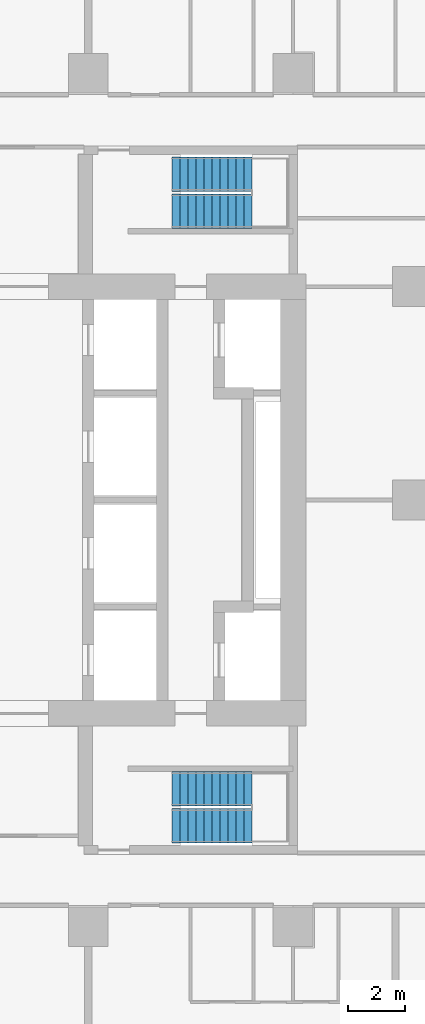
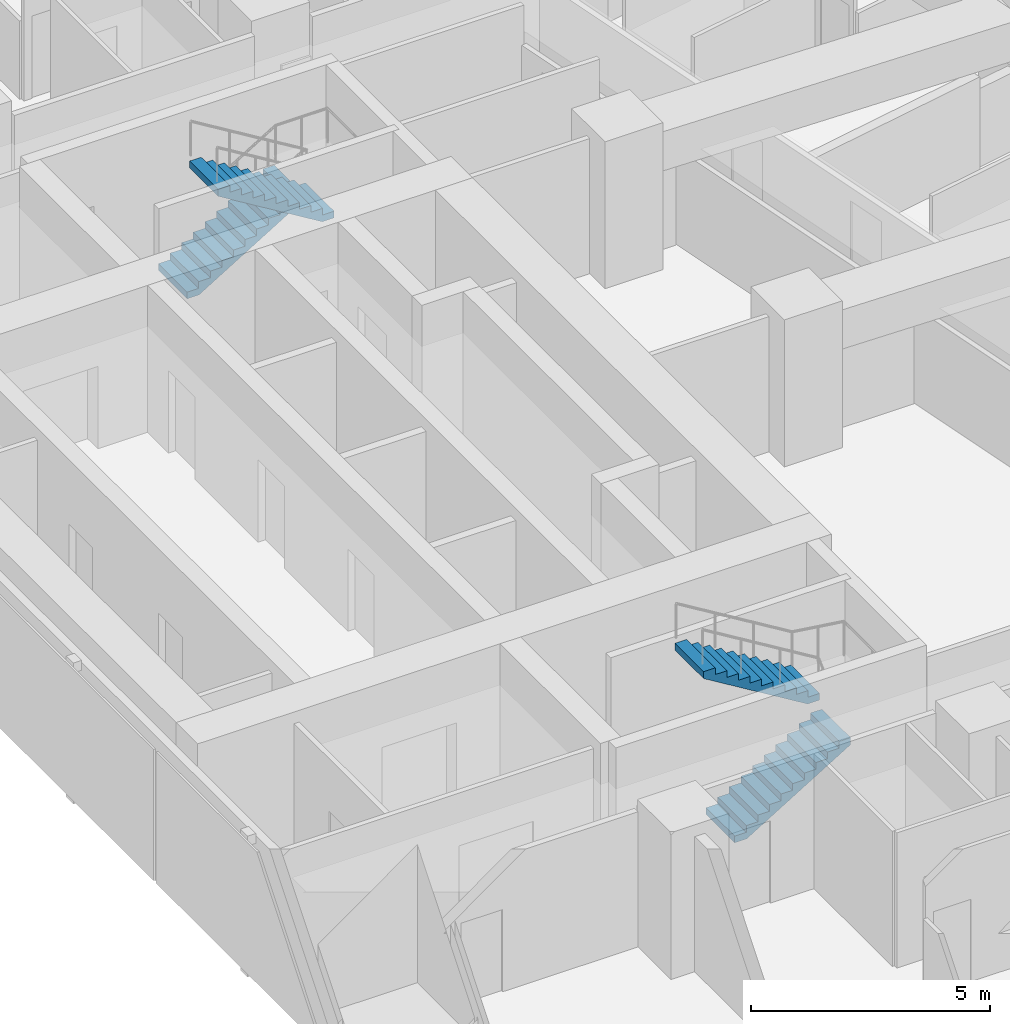
# One storey, part 9 of 10: 4 stair flights, 2 elements without a shape of their own.
"""IFC4 building model written with IfcOpenShell, lengths in metres."""

from ifc_helpers import new_model, si_unit, direction, frame, origin, place, context, subcontext, project, spatial, triangles, material, type_object, element, aggregate, save


model = new_model("IFC4")

# Units and contexts
model_context = context("Model", 3, precision=1e-05, world=origin(), true_north=direction((0.0, 1.0)))
body_context = subcontext(model_context, "Body", "Model", "MODEL_VIEW")
ifc_project = project(units=[si_unit("LENGTHUNIT", "METRE"), si_unit("AREAUNIT", "SQUARE_METRE"), si_unit("VOLUMEUNIT", "CUBIC_METRE"), si_unit("PLANEANGLEUNIT", "RADIAN"), si_unit("MASSUNIT", "GRAM", prefix="KILO")], contexts=[model_context])

# Site, building, storey
site_placement = place(None, origin())
site = spatial("IfcSite", under=ifc_project, at=site_placement, CompositionType="ELEMENT")
building_placement = place(site_placement, origin())
building = spatial("IfcBuilding", under=site, at=building_placement, Name="Sheger Commons Tower", CompositionType="ELEMENT")
storey_placement = place(building_placement, frame((0.0, 0.0, 242.449951171875)))
storey = spatial("IfcBuildingStorey", under=building, at=storey_placement, Name="L62", CompositionType="ELEMENT", Elevation=242.449951171875)

# Stair, stair flights
ifc_material_1 = material(Name="Concrete C35/45", Category="concrete")
stair_type = type_object("IfcStairType", Name="HALF-TURN STAIR 1200 RISE 3750", PredefinedType="HALF_TURN_STAIR", material=ifc_material_1)
stair_1_placement = place(storey_placement, origin())
stair_1 = element("IfcStair", 1, at=stair_1_placement, inside=storey, type_object=stair_type, Name="Stair S1 L62", PredefinedType="HALF_TURN_STAIR")
ifc_material_2 = material(Name="Concrete C35/45", Category="concrete")
stair_flight_type = type_object("IfcStairFlightType", Name="STAIR FLIGHT 1200 11 RISERS OF 170", PredefinedType="STRAIGHT", material=ifc_material_2)
stair_flight_1_placement = place(storey_placement, frame((24.550048828125, 11.050048828125, 0.0), z_axis=(0.0, 0.0, 1.0), x_axis=(1.0, 0.0, 0.0)))
stair_flight_1 = element("IfcStairFlight", 2, at=stair_flight_1_placement, type_object=stair_flight_type, Name="S1 flight 1", NumberOfRisers=11, NumberOfTreads=10, PredefinedType="STRAIGHT", RiserHeight=0.170454545, TreadLength=0.28, context=body_context, shape_type="Tessellation", body=[
    triangles([(0.0, 0.5999755859375, 0.0), (0.0, 0.5999755859375, 0.17041015625), (0.280029296875, 0.5999755859375, 0.17041015625), (0.280029296875, 0.5999755859375, 0.3408203125), (0.56005859375, 0.5999755859375, 0.3408203125), (0.56005859375, 0.5999755859375, 0.511474609375), (0.840087890625, 0.5999755859375, 0.511474609375), (0.840087890625, 0.5999755859375, 0.681884765625), (1.1201171875, 0.5999755859375, 0.681884765625), (1.1201171875, 0.5999755859375, 0.852294921875), (1.39990234375, 0.5999755859375, 0.852294921875), (1.39990234375, 0.5999755859375, 1.022705078125), (1.679931640625, 0.5999755859375, 1.022705078125), (1.679931640625, 0.5999755859375, 1.193115234375), (1.9599609375, 0.5999755859375, 1.193115234375), (1.9599609375, 0.5999755859375, 1.363525390625), (2.239990234375, 0.5999755859375, 1.363525390625), (2.239990234375, 0.5999755859375, 1.5341796875), (2.52001953125, 0.5999755859375, 1.5341796875), (2.52001953125, 0.5999755859375, 1.70458984375), (2.800048828125, 0.5999755859375, 1.70458984375), (2.800048828125, 0.5999755859375, 1.529052734375), (0.288330078125, 0.5999755859375, 0.0), (0.0, -0.5999755859375, 0.0), (0.0, -0.5999755859375, 0.17041015625), (0.280029296875, -0.5999755859375, 0.17041015625), (0.280029296875, -0.5999755859375, 0.3408203125), (0.56005859375, -0.5999755859375, 0.3408203125), (0.56005859375, -0.5999755859375, 0.511474609375), (0.840087890625, -0.5999755859375, 0.511474609375), (0.840087890625, -0.5999755859375, 0.681884765625), (1.1201171875, -0.5999755859375, 0.681884765625), (1.1201171875, -0.5999755859375, 0.852294921875), (1.39990234375, -0.5999755859375, 0.852294921875), (1.39990234375, -0.5999755859375, 1.022705078125), (1.679931640625, -0.5999755859375, 1.022705078125), (1.679931640625, -0.5999755859375, 1.193115234375), (1.9599609375, -0.5999755859375, 1.193115234375), (1.9599609375, -0.5999755859375, 1.363525390625), (2.239990234375, -0.5999755859375, 1.363525390625), (2.239990234375, -0.5999755859375, 1.5341796875), (2.52001953125, -0.5999755859375, 1.5341796875), (2.52001953125, -0.5999755859375, 1.70458984375), (2.800048828125, -0.5999755859375, 1.70458984375), (2.800048828125, -0.5999755859375, 1.529052734375), (0.288330078125, -0.5999755859375, 0.0), (0.0, 0.0, 0.085205078125), (0.1400146484375, 0.0, 0.17041015625), (0.280029296875, 0.0, 0.255615234375), (0.4200439453125, 0.0, 0.3408203125), (0.56005859375, 0.0, 0.4261474609375), (0.7000732421875, 0.0, 0.511474609375), (0.840087890625, 0.0, 0.5966796875), (0.9801025390625, 0.0, 0.681884765625), (1.1201171875, 0.0, 0.76708984375), (1.260009765625, 0.0, 0.852294921875), (1.39990234375, 0.0, 0.9375), (1.5399169921875, 0.0, 1.022705078125), (1.679931640625, 0.0, 1.10791015625), (1.8199462890625, 0.0, 1.193115234375), (1.9599609375, 0.0, 1.2783203125), (2.0999755859375, 0.0, 1.363525390625), (2.239990234375, 0.0, 1.4488525390625), (2.3800048828125, 0.0, 1.5341796875), (2.52001953125, 0.0, 1.619384765625), (2.6600341796875, 0.0, 1.70458984375), (2.800048828125, 0.0, 1.6168212890625), (1.544189453125, 0.0, 0.7645263671875), (0.1441650390625, 0.0, 0.0)], [[1, 22, 23], [24, 46, 45], [22, 20, 21], [45, 44, 43], [22, 19, 20], [45, 43, 42], [22, 18, 19], [45, 42, 41], [22, 17, 18], [45, 41, 40], [17, 15, 16], [40, 39, 38], [22, 15, 17], [45, 40, 38], [15, 13, 14], [38, 37, 36], [22, 13, 15], [45, 38, 36], [13, 11, 12], [36, 35, 34], [22, 11, 13], [45, 36, 34], [11, 9, 10], [34, 33, 32], [22, 9, 11], [45, 34, 32], [9, 7, 8], [32, 31, 30], [22, 7, 9], [45, 32, 30], [7, 5, 6], [30, 29, 28], [22, 5, 7], [45, 30, 28], [5, 3, 4], [28, 27, 26], [22, 3, 5], [45, 28, 26], [1, 3, 22], [24, 45, 26], [3, 1, 2], [26, 25, 24], [1, 47, 2], [2, 47, 25], [25, 47, 24], [24, 47, 1], [2, 48, 3], [3, 48, 26], [26, 48, 25], [25, 48, 2], [3, 49, 4], [4, 49, 27], [27, 49, 26], [26, 49, 3], [4, 50, 5], [5, 50, 28], [28, 50, 27], [27, 50, 4], [5, 51, 6], [6, 51, 29], [29, 51, 28], [28, 51, 5], [6, 52, 7], [7, 52, 30], [30, 52, 29], [29, 52, 6], [7, 53, 8], [8, 53, 31], [31, 53, 30], [30, 53, 7], [8, 54, 9], [9, 54, 32], [32, 54, 31], [31, 54, 8], [9, 55, 10], [10, 55, 33], [33, 55, 32], [32, 55, 9], [10, 56, 11], [11, 56, 34], [34, 56, 33], [33, 56, 10], [11, 57, 12], [12, 57, 35], [35, 57, 34], [34, 57, 11], [12, 58, 13], [13, 58, 36], [36, 58, 35], [35, 58, 12], [13, 59, 14], [14, 59, 37], [37, 59, 36], [36, 59, 13], [14, 60, 15], [15, 60, 38], [38, 60, 37], [37, 60, 14], [15, 61, 16], [16, 61, 39], [39, 61, 38], [38, 61, 15], [16, 62, 17], [17, 62, 40], [40, 62, 39], [39, 62, 16], [17, 63, 18], [18, 63, 41], [41, 63, 40], [40, 63, 17], [18, 64, 19], [19, 64, 42], [42, 64, 41], [41, 64, 18], [19, 65, 20], [20, 65, 43], [43, 65, 42], [42, 65, 19], [20, 66, 21], [21, 66, 44], [44, 66, 43], [43, 66, 20], [21, 67, 22], [22, 67, 45], [45, 67, 44], [44, 67, 21], [22, 68, 23], [23, 68, 46], [46, 68, 45], [45, 68, 22], [23, 69, 1], [1, 69, 24], [24, 69, 46], [46, 69, 23]], closed=True),
])
stair_flight_2_placement = place(storey_placement, frame((27.35009765625, 12.35009765625, 1.875), z_axis=(0.0, 0.0, 1.0), x_axis=(-1.0, 0.0, 0.0)))
stair_flight_2 = element("IfcStairFlight", 3, at=stair_flight_2_placement, type_object=stair_flight_type, Name="S1 flight 2", NumberOfRisers=11, NumberOfTreads=10, PredefinedType="STRAIGHT", RiserHeight=0.170454545, TreadLength=0.28, context=body_context, shape_type="Tessellation", body=[
    triangles([(0.0, 0.5999755859375, 0.0), (0.0, 0.5999755859375, 0.17041015625), (0.280029296875, 0.5999755859375, 0.17041015625), (0.280029296875, 0.5999755859375, 0.3408203125), (0.56005859375, 0.5999755859375, 0.3408203125), (0.56005859375, 0.5999755859375, 0.511474609375), (0.840087890625, 0.5999755859375, 0.511474609375), (0.840087890625, 0.5999755859375, 0.681884765625), (1.1201171875, 0.5999755859375, 0.681884765625), (1.1201171875, 0.5999755859375, 0.852294921875), (1.39990234375, 0.5999755859375, 0.852294921875), (1.39990234375, 0.5999755859375, 1.022705078125), (1.679931640625, 0.5999755859375, 1.022705078125), (1.679931640625, 0.5999755859375, 1.193115234375), (1.9599609375, 0.5999755859375, 1.193115234375), (1.9599609375, 0.5999755859375, 1.363525390625), (2.239990234375, 0.5999755859375, 1.363525390625), (2.239990234375, 0.5999755859375, 1.5341796875), (2.52001953125, 0.5999755859375, 1.5341796875), (2.52001953125, 0.5999755859375, 1.70458984375), (2.800048828125, 0.5999755859375, 1.70458984375), (2.800048828125, 0.5999755859375, 1.529052734375), (0.288330078125, 0.5999755859375, 0.0), (0.0, -0.5999755859375, 0.0), (0.0, -0.5999755859375, 0.17041015625), (0.280029296875, -0.5999755859375, 0.17041015625), (0.280029296875, -0.5999755859375, 0.3408203125), (0.56005859375, -0.5999755859375, 0.3408203125), (0.56005859375, -0.5999755859375, 0.511474609375), (0.840087890625, -0.5999755859375, 0.511474609375), (0.840087890625, -0.5999755859375, 0.681884765625), (1.1201171875, -0.5999755859375, 0.681884765625), (1.1201171875, -0.5999755859375, 0.852294921875), (1.39990234375, -0.5999755859375, 0.852294921875), (1.39990234375, -0.5999755859375, 1.022705078125), (1.679931640625, -0.5999755859375, 1.022705078125), (1.679931640625, -0.5999755859375, 1.193115234375), (1.9599609375, -0.5999755859375, 1.193115234375), (1.9599609375, -0.5999755859375, 1.363525390625), (2.239990234375, -0.5999755859375, 1.363525390625), (2.239990234375, -0.5999755859375, 1.5341796875), (2.52001953125, -0.5999755859375, 1.5341796875), (2.52001953125, -0.5999755859375, 1.70458984375), (2.800048828125, -0.5999755859375, 1.70458984375), (2.800048828125, -0.5999755859375, 1.529052734375), (0.288330078125, -0.5999755859375, 0.0), (0.0, 0.0, 0.085205078125), (0.1400146484375, 0.0, 0.17041015625), (0.280029296875, 0.0, 0.255615234375), (0.4200439453125, 0.0, 0.3408203125), (0.56005859375, 0.0, 0.4261474609375), (0.7000732421875, 0.0, 0.511474609375), (0.840087890625, 0.0, 0.5966796875), (0.9801025390625, 0.0, 0.681884765625), (1.1201171875, 0.0, 0.76708984375), (1.260009765625, 0.0, 0.852294921875), (1.39990234375, 0.0, 0.9375), (1.5399169921875, 0.0, 1.022705078125), (1.679931640625, 0.0, 1.10791015625), (1.8199462890625, 0.0, 1.193115234375), (1.9599609375, 0.0, 1.2783203125), (2.0999755859375, 0.0, 1.363525390625), (2.239990234375, 0.0, 1.4488525390625), (2.3800048828125, 0.0, 1.5341796875), (2.52001953125, 0.0, 1.619384765625), (2.6600341796875, 0.0, 1.70458984375), (2.800048828125, 0.0, 1.6168212890625), (1.544189453125, 0.0, 0.7645263671875), (0.1441650390625, 0.0, 0.0)], [[1, 22, 23], [24, 46, 45], [22, 20, 21], [45, 44, 43], [22, 19, 20], [45, 43, 42], [22, 18, 19], [45, 42, 41], [22, 17, 18], [45, 41, 40], [17, 15, 16], [40, 39, 38], [22, 15, 17], [45, 40, 38], [15, 13, 14], [38, 37, 36], [22, 13, 15], [45, 38, 36], [13, 11, 12], [36, 35, 34], [22, 11, 13], [45, 36, 34], [11, 9, 10], [34, 33, 32], [22, 9, 11], [45, 34, 32], [9, 7, 8], [32, 31, 30], [22, 7, 9], [45, 32, 30], [7, 5, 6], [30, 29, 28], [22, 5, 7], [45, 30, 28], [5, 3, 4], [28, 27, 26], [22, 3, 5], [45, 28, 26], [1, 3, 22], [24, 45, 26], [3, 1, 2], [26, 25, 24], [1, 47, 2], [2, 47, 25], [25, 47, 24], [24, 47, 1], [2, 48, 3], [3, 48, 26], [26, 48, 25], [25, 48, 2], [3, 49, 4], [4, 49, 27], [27, 49, 26], [26, 49, 3], [4, 50, 5], [5, 50, 28], [28, 50, 27], [27, 50, 4], [5, 51, 6], [6, 51, 29], [29, 51, 28], [28, 51, 5], [6, 52, 7], [7, 52, 30], [30, 52, 29], [29, 52, 6], [7, 53, 8], [8, 53, 31], [31, 53, 30], [30, 53, 7], [8, 54, 9], [9, 54, 32], [32, 54, 31], [31, 54, 8], [9, 55, 10], [10, 55, 33], [33, 55, 32], [32, 55, 9], [10, 56, 11], [11, 56, 34], [34, 56, 33], [33, 56, 10], [11, 57, 12], [12, 57, 35], [35, 57, 34], [34, 57, 11], [12, 58, 13], [13, 58, 36], [36, 58, 35], [35, 58, 12], [13, 59, 14], [14, 59, 37], [37, 59, 36], [36, 59, 13], [14, 60, 15], [15, 60, 38], [38, 60, 37], [37, 60, 14], [15, 61, 16], [16, 61, 39], [39, 61, 38], [38, 61, 15], [16, 62, 17], [17, 62, 40], [40, 62, 39], [39, 62, 16], [17, 63, 18], [18, 63, 41], [41, 63, 40], [40, 63, 17], [18, 64, 19], [19, 64, 42], [42, 64, 41], [41, 64, 18], [19, 65, 20], [20, 65, 43], [43, 65, 42], [42, 65, 19], [20, 66, 21], [21, 66, 44], [44, 66, 43], [43, 66, 20], [21, 67, 22], [22, 67, 45], [45, 67, 44], [44, 67, 21], [22, 68, 23], [23, 68, 46], [46, 68, 45], [45, 68, 22], [23, 69, 1], [1, 69, 24], [24, 69, 46], [46, 69, 23]], closed=True),
])
aggregate(stair_1, [stair_flight_1, stair_flight_2])

stair_2_placement = place(storey_placement, origin())
stair_2 = element("IfcStair", 4, at=stair_2_placement, inside=storey, type_object=stair_type, Name="Stair S2 L62", PredefinedType="HALF_TURN_STAIR")
stair_flight_3_placement = place(storey_placement, frame((24.550048828125, 33.949951171875, 0.0), z_axis=(0.0, 0.0, 1.0), x_axis=(1.0, 0.0, 0.0)))
stair_flight_3 = element("IfcStairFlight", 5, at=stair_flight_3_placement, type_object=stair_flight_type, Name="S2 flight 1", NumberOfRisers=11, NumberOfTreads=10, PredefinedType="STRAIGHT", RiserHeight=0.170454545, TreadLength=0.28, context=body_context, shape_type="Tessellation", body=[
    triangles([(0.0, 0.5999755859375, 0.0), (0.0, 0.5999755859375, 0.17041015625), (0.280029296875, 0.5999755859375, 0.17041015625), (0.280029296875, 0.5999755859375, 0.3408203125), (0.56005859375, 0.5999755859375, 0.3408203125), (0.56005859375, 0.5999755859375, 0.511474609375), (0.840087890625, 0.5999755859375, 0.511474609375), (0.840087890625, 0.5999755859375, 0.681884765625), (1.1201171875, 0.5999755859375, 0.681884765625), (1.1201171875, 0.5999755859375, 0.852294921875), (1.39990234375, 0.5999755859375, 0.852294921875), (1.39990234375, 0.5999755859375, 1.022705078125), (1.679931640625, 0.5999755859375, 1.022705078125), (1.679931640625, 0.5999755859375, 1.193115234375), (1.9599609375, 0.5999755859375, 1.193115234375), (1.9599609375, 0.5999755859375, 1.363525390625), (2.239990234375, 0.5999755859375, 1.363525390625), (2.239990234375, 0.5999755859375, 1.5341796875), (2.52001953125, 0.5999755859375, 1.5341796875), (2.52001953125, 0.5999755859375, 1.70458984375), (2.800048828125, 0.5999755859375, 1.70458984375), (2.800048828125, 0.5999755859375, 1.529052734375), (0.288330078125, 0.5999755859375, 0.0), (0.0, -0.5999755859375, 0.0), (0.0, -0.5999755859375, 0.17041015625), (0.280029296875, -0.5999755859375, 0.17041015625), (0.280029296875, -0.5999755859375, 0.3408203125), (0.56005859375, -0.5999755859375, 0.3408203125), (0.56005859375, -0.5999755859375, 0.511474609375), (0.840087890625, -0.5999755859375, 0.511474609375), (0.840087890625, -0.5999755859375, 0.681884765625), (1.1201171875, -0.5999755859375, 0.681884765625), (1.1201171875, -0.5999755859375, 0.852294921875), (1.39990234375, -0.5999755859375, 0.852294921875), (1.39990234375, -0.5999755859375, 1.022705078125), (1.679931640625, -0.5999755859375, 1.022705078125), (1.679931640625, -0.5999755859375, 1.193115234375), (1.9599609375, -0.5999755859375, 1.193115234375), (1.9599609375, -0.5999755859375, 1.363525390625), (2.239990234375, -0.5999755859375, 1.363525390625), (2.239990234375, -0.5999755859375, 1.5341796875), (2.52001953125, -0.5999755859375, 1.5341796875), (2.52001953125, -0.5999755859375, 1.70458984375), (2.800048828125, -0.5999755859375, 1.70458984375), (2.800048828125, -0.5999755859375, 1.529052734375), (0.288330078125, -0.5999755859375, 0.0), (0.0, 0.0, 0.085205078125), (0.1400146484375, 0.0, 0.17041015625), (0.280029296875, 0.0, 0.255615234375), (0.4200439453125, 0.0, 0.3408203125), (0.56005859375, 0.0, 0.4261474609375), (0.7000732421875, 0.0, 0.511474609375), (0.840087890625, 0.0, 0.5966796875), (0.9801025390625, 0.0, 0.681884765625), (1.1201171875, 0.0, 0.76708984375), (1.260009765625, 0.0, 0.852294921875), (1.39990234375, 0.0, 0.9375), (1.5399169921875, 0.0, 1.022705078125), (1.679931640625, 0.0, 1.10791015625), (1.8199462890625, 0.0, 1.193115234375), (1.9599609375, 0.0, 1.2783203125), (2.0999755859375, 0.0, 1.363525390625), (2.239990234375, 0.0, 1.4488525390625), (2.3800048828125, 0.0, 1.5341796875), (2.52001953125, 0.0, 1.619384765625), (2.6600341796875, 0.0, 1.70458984375), (2.800048828125, 0.0, 1.6168212890625), (1.544189453125, 0.0, 0.7645263671875), (0.1441650390625, 0.0, 0.0)], [[1, 22, 23], [24, 46, 45], [22, 20, 21], [45, 44, 43], [22, 19, 20], [45, 43, 42], [22, 18, 19], [45, 42, 41], [22, 17, 18], [45, 41, 40], [17, 15, 16], [40, 39, 38], [22, 15, 17], [45, 40, 38], [15, 13, 14], [38, 37, 36], [22, 13, 15], [45, 38, 36], [13, 11, 12], [36, 35, 34], [22, 11, 13], [45, 36, 34], [11, 9, 10], [34, 33, 32], [22, 9, 11], [45, 34, 32], [9, 7, 8], [32, 31, 30], [22, 7, 9], [45, 32, 30], [7, 5, 6], [30, 29, 28], [22, 5, 7], [45, 30, 28], [5, 3, 4], [28, 27, 26], [22, 3, 5], [45, 28, 26], [1, 3, 22], [24, 45, 26], [3, 1, 2], [26, 25, 24], [1, 47, 2], [2, 47, 25], [25, 47, 24], [24, 47, 1], [2, 48, 3], [3, 48, 26], [26, 48, 25], [25, 48, 2], [3, 49, 4], [4, 49, 27], [27, 49, 26], [26, 49, 3], [4, 50, 5], [5, 50, 28], [28, 50, 27], [27, 50, 4], [5, 51, 6], [6, 51, 29], [29, 51, 28], [28, 51, 5], [6, 52, 7], [7, 52, 30], [30, 52, 29], [29, 52, 6], [7, 53, 8], [8, 53, 31], [31, 53, 30], [30, 53, 7], [8, 54, 9], [9, 54, 32], [32, 54, 31], [31, 54, 8], [9, 55, 10], [10, 55, 33], [33, 55, 32], [32, 55, 9], [10, 56, 11], [11, 56, 34], [34, 56, 33], [33, 56, 10], [11, 57, 12], [12, 57, 35], [35, 57, 34], [34, 57, 11], [12, 58, 13], [13, 58, 36], [36, 58, 35], [35, 58, 12], [13, 59, 14], [14, 59, 37], [37, 59, 36], [36, 59, 13], [14, 60, 15], [15, 60, 38], [38, 60, 37], [37, 60, 14], [15, 61, 16], [16, 61, 39], [39, 61, 38], [38, 61, 15], [16, 62, 17], [17, 62, 40], [40, 62, 39], [39, 62, 16], [17, 63, 18], [18, 63, 41], [41, 63, 40], [40, 63, 17], [18, 64, 19], [19, 64, 42], [42, 64, 41], [41, 64, 18], [19, 65, 20], [20, 65, 43], [43, 65, 42], [42, 65, 19], [20, 66, 21], [21, 66, 44], [44, 66, 43], [43, 66, 20], [21, 67, 22], [22, 67, 45], [45, 67, 44], [44, 67, 21], [22, 68, 23], [23, 68, 46], [46, 68, 45], [45, 68, 22], [23, 69, 1], [1, 69, 24], [24, 69, 46], [46, 69, 23]], closed=True),
])
stair_flight_4_placement = place(storey_placement, frame((27.35009765625, 32.64990234375, 1.875), z_axis=(0.0, 0.0, 1.0), x_axis=(-1.0, 0.0, 0.0)))
stair_flight_4 = element("IfcStairFlight", 6, at=stair_flight_4_placement, type_object=stair_flight_type, Name="S2 flight 2", NumberOfRisers=11, NumberOfTreads=10, PredefinedType="STRAIGHT", RiserHeight=0.170454545, TreadLength=0.28, context=body_context, shape_type="Tessellation", body=[
    triangles([(0.0, 0.5999755859375, 0.0), (0.0, 0.5999755859375, 0.17041015625), (0.280029296875, 0.5999755859375, 0.17041015625), (0.280029296875, 0.5999755859375, 0.3408203125), (0.56005859375, 0.5999755859375, 0.3408203125), (0.56005859375, 0.5999755859375, 0.511474609375), (0.840087890625, 0.5999755859375, 0.511474609375), (0.840087890625, 0.5999755859375, 0.681884765625), (1.1201171875, 0.5999755859375, 0.681884765625), (1.1201171875, 0.5999755859375, 0.852294921875), (1.39990234375, 0.5999755859375, 0.852294921875), (1.39990234375, 0.5999755859375, 1.022705078125), (1.679931640625, 0.5999755859375, 1.022705078125), (1.679931640625, 0.5999755859375, 1.193115234375), (1.9599609375, 0.5999755859375, 1.193115234375), (1.9599609375, 0.5999755859375, 1.363525390625), (2.239990234375, 0.5999755859375, 1.363525390625), (2.239990234375, 0.5999755859375, 1.5341796875), (2.52001953125, 0.5999755859375, 1.5341796875), (2.52001953125, 0.5999755859375, 1.70458984375), (2.800048828125, 0.5999755859375, 1.70458984375), (2.800048828125, 0.5999755859375, 1.529052734375), (0.288330078125, 0.5999755859375, 0.0), (0.0, -0.5999755859375, 0.0), (0.0, -0.5999755859375, 0.17041015625), (0.280029296875, -0.5999755859375, 0.17041015625), (0.280029296875, -0.5999755859375, 0.3408203125), (0.56005859375, -0.5999755859375, 0.3408203125), (0.56005859375, -0.5999755859375, 0.511474609375), (0.840087890625, -0.5999755859375, 0.511474609375), (0.840087890625, -0.5999755859375, 0.681884765625), (1.1201171875, -0.5999755859375, 0.681884765625), (1.1201171875, -0.5999755859375, 0.852294921875), (1.39990234375, -0.5999755859375, 0.852294921875), (1.39990234375, -0.5999755859375, 1.022705078125), (1.679931640625, -0.5999755859375, 1.022705078125), (1.679931640625, -0.5999755859375, 1.193115234375), (1.9599609375, -0.5999755859375, 1.193115234375), (1.9599609375, -0.5999755859375, 1.363525390625), (2.239990234375, -0.5999755859375, 1.363525390625), (2.239990234375, -0.5999755859375, 1.5341796875), (2.52001953125, -0.5999755859375, 1.5341796875), (2.52001953125, -0.5999755859375, 1.70458984375), (2.800048828125, -0.5999755859375, 1.70458984375), (2.800048828125, -0.5999755859375, 1.529052734375), (0.288330078125, -0.5999755859375, 0.0), (0.0, 0.0, 0.085205078125), (0.1400146484375, 0.0, 0.17041015625), (0.280029296875, 0.0, 0.255615234375), (0.4200439453125, 0.0, 0.3408203125), (0.56005859375, 0.0, 0.4261474609375), (0.7000732421875, 0.0, 0.511474609375), (0.840087890625, 0.0, 0.5966796875), (0.9801025390625, 0.0, 0.681884765625), (1.1201171875, 0.0, 0.76708984375), (1.260009765625, 0.0, 0.852294921875), (1.39990234375, 0.0, 0.9375), (1.5399169921875, 0.0, 1.022705078125), (1.679931640625, 0.0, 1.10791015625), (1.8199462890625, 0.0, 1.193115234375), (1.9599609375, 0.0, 1.2783203125), (2.0999755859375, 0.0, 1.363525390625), (2.239990234375, 0.0, 1.4488525390625), (2.3800048828125, 0.0, 1.5341796875), (2.52001953125, 0.0, 1.619384765625), (2.6600341796875, 0.0, 1.70458984375), (2.800048828125, 0.0, 1.6168212890625), (1.544189453125, 0.0, 0.7645263671875), (0.1441650390625, 0.0, 0.0)], [[1, 22, 23], [24, 46, 45], [22, 20, 21], [45, 44, 43], [22, 19, 20], [45, 43, 42], [22, 18, 19], [45, 42, 41], [22, 17, 18], [45, 41, 40], [17, 15, 16], [40, 39, 38], [22, 15, 17], [45, 40, 38], [15, 13, 14], [38, 37, 36], [22, 13, 15], [45, 38, 36], [13, 11, 12], [36, 35, 34], [22, 11, 13], [45, 36, 34], [11, 9, 10], [34, 33, 32], [22, 9, 11], [45, 34, 32], [9, 7, 8], [32, 31, 30], [22, 7, 9], [45, 32, 30], [7, 5, 6], [30, 29, 28], [22, 5, 7], [45, 30, 28], [5, 3, 4], [28, 27, 26], [22, 3, 5], [45, 28, 26], [1, 3, 22], [24, 45, 26], [3, 1, 2], [26, 25, 24], [1, 47, 2], [2, 47, 25], [25, 47, 24], [24, 47, 1], [2, 48, 3], [3, 48, 26], [26, 48, 25], [25, 48, 2], [3, 49, 4], [4, 49, 27], [27, 49, 26], [26, 49, 3], [4, 50, 5], [5, 50, 28], [28, 50, 27], [27, 50, 4], [5, 51, 6], [6, 51, 29], [29, 51, 28], [28, 51, 5], [6, 52, 7], [7, 52, 30], [30, 52, 29], [29, 52, 6], [7, 53, 8], [8, 53, 31], [31, 53, 30], [30, 53, 7], [8, 54, 9], [9, 54, 32], [32, 54, 31], [31, 54, 8], [9, 55, 10], [10, 55, 33], [33, 55, 32], [32, 55, 9], [10, 56, 11], [11, 56, 34], [34, 56, 33], [33, 56, 10], [11, 57, 12], [12, 57, 35], [35, 57, 34], [34, 57, 11], [12, 58, 13], [13, 58, 36], [36, 58, 35], [35, 58, 12], [13, 59, 14], [14, 59, 37], [37, 59, 36], [36, 59, 13], [14, 60, 15], [15, 60, 38], [38, 60, 37], [37, 60, 14], [15, 61, 16], [16, 61, 39], [39, 61, 38], [38, 61, 15], [16, 62, 17], [17, 62, 40], [40, 62, 39], [39, 62, 16], [17, 63, 18], [18, 63, 41], [41, 63, 40], [40, 63, 17], [18, 64, 19], [19, 64, 42], [42, 64, 41], [41, 64, 18], [19, 65, 20], [20, 65, 43], [43, 65, 42], [42, 65, 19], [20, 66, 21], [21, 66, 44], [44, 66, 43], [43, 66, 20], [21, 67, 22], [22, 67, 45], [45, 67, 44], [44, 67, 21], [22, 68, 23], [23, 68, 46], [46, 68, 45], [45, 68, 22], [23, 69, 1], [1, 69, 24], [24, 69, 46], [46, 69, 23]], closed=True),
])
aggregate(stair_2, [stair_flight_3, stair_flight_4])

save(model, "model.ifc")
